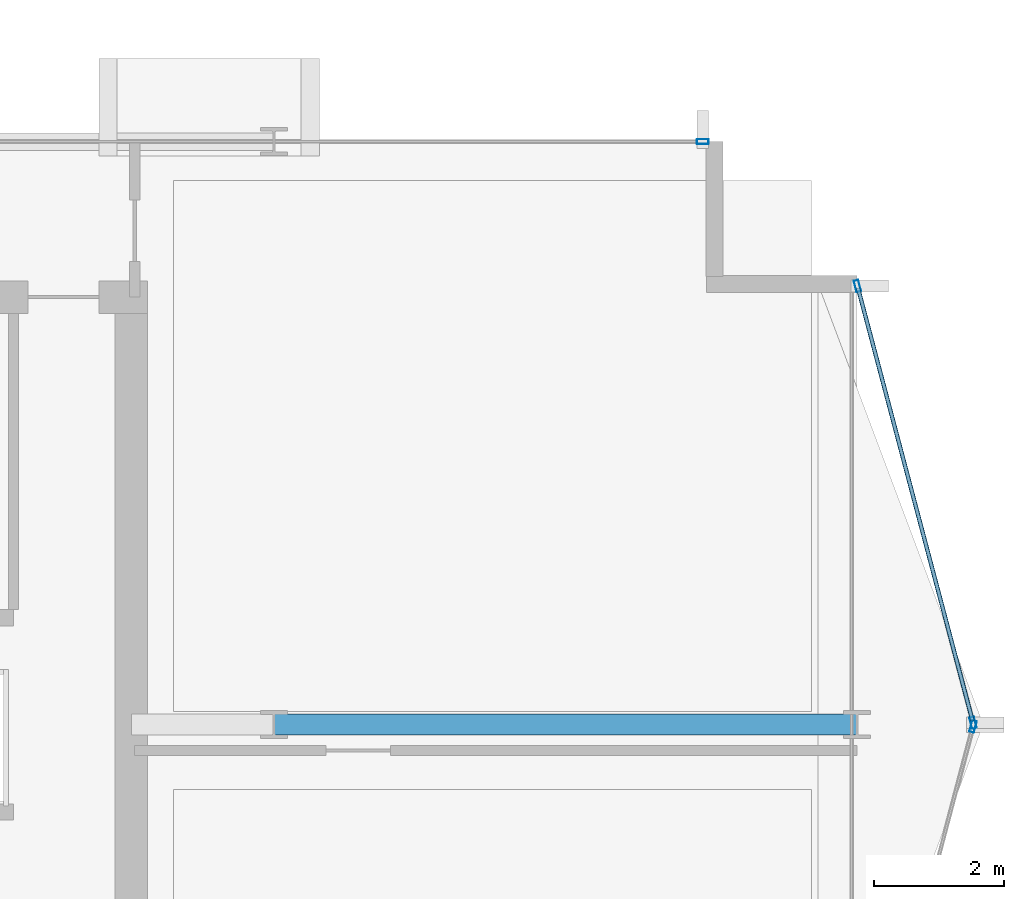
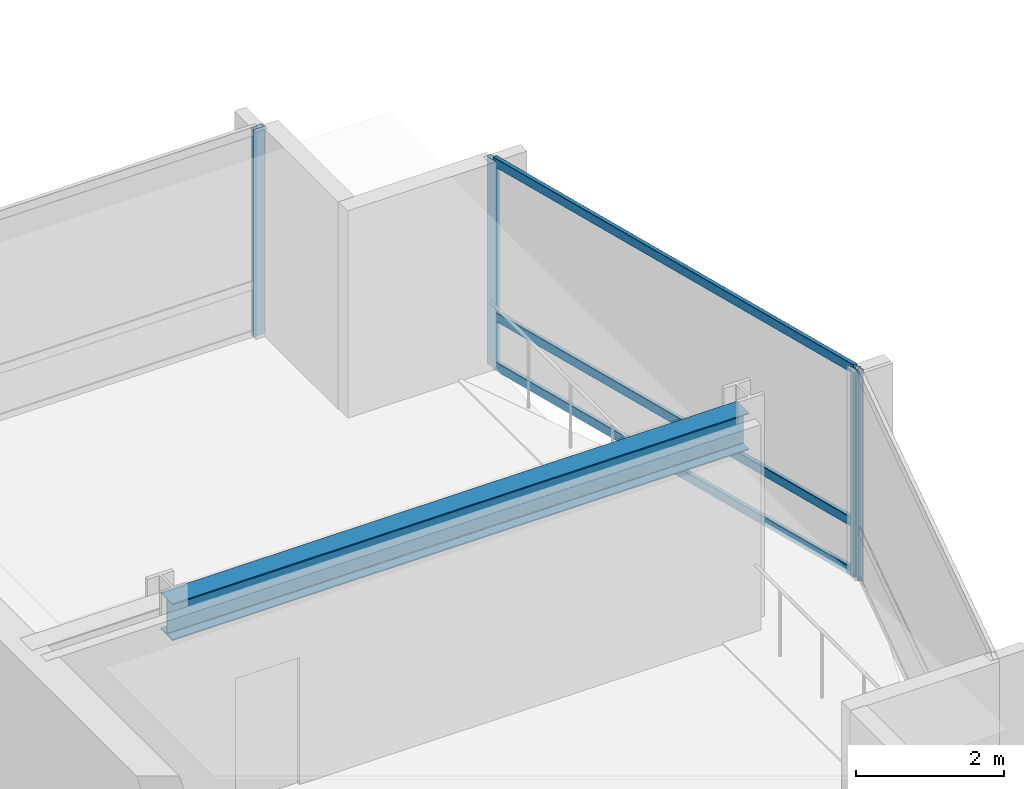
# One storey, part 14 of 28: 7 members, 1 beam, 3 elements without a shape of their own.
"""IFC4 building model written with IfcOpenShell, lengths in metres."""

from ifc_helpers import new_model, si_unit, direction, frame, origin, origin_2d, place, context, subcontext, project, spatial, hollow_rectangle, i_section, extrude, material, layer, layer_set, material_profile, profile_set, type_object, element, aggregate, save


model = new_model("IFC4")

# Units and contexts
model_context = context("Model", 3, precision=1e-05, world=origin(), true_north=direction((0.0, 1.0)))
body_context = subcontext(model_context, "Body", "Model", "MODEL_VIEW")
ifc_project = project(units=[si_unit("LENGTHUNIT", "METRE"), si_unit("AREAUNIT", "SQUARE_METRE"), si_unit("VOLUMEUNIT", "CUBIC_METRE"), si_unit("PLANEANGLEUNIT", "RADIAN"), si_unit("MASSUNIT", "GRAM", prefix="KILO")], contexts=[model_context])

# Site, building, storey
site_placement = place(None, origin())
site = spatial("IfcSite", under=ifc_project, at=site_placement, CompositionType="ELEMENT")
building_placement = place(site_placement, origin())
building = spatial("IfcBuilding", under=site, at=building_placement, Name="Solvaryn Broadcast Tower", CompositionType="ELEMENT")
storey_placement = place(building_placement, frame((0.0, 0.0, 158.10009765625)))
storey = spatial("IfcBuildingStorey", under=building, at=storey_placement, Name="L39", CompositionType="ELEMENT", Elevation=158.10009765625)

# Beam
ifc_material_1 = material(Name="Steel ASTM A992 Grade 50", Category="steel")
ifc_material_profile_1 = material_profile(ifc_material_1, i_section(OverallWidth=0.323974609375, OverallDepth=0.611083984375, WebThickness=0.0126953125, FlangeThickness=0.01904296875, FilletRadius=0.014892578125, at=origin_2d()))
ifc_profile_set_1 = profile_set([ifc_material_profile_1], Name="Steel ASTM A992 Grade 50")
beam_type = type_object("IfcBeamType", Name="BM-B1-W24X104", PredefinedType="BEAM", material=ifc_profile_set_1)
beam_placement = place(storey_placement, frame((45.0, 18.0, 3.114501953125), z_axis=(1.0, 0.0, 0.0), x_axis=(0.0, 1.0, 0.0)))
element("IfcBeam", 1, at=beam_placement, inside=storey, type_object=beam_type, Name="L39 Primary Beam X (45-54 @ Y=18)", PredefinedType="BEAM", context=body_context, shape_type="SweptSolid", body=[
    extrude(i_section(OverallWidth=0.323974609375, OverallDepth=0.611083984375, WebThickness=0.0126953125, FlangeThickness=0.01904296875, FilletRadius=0.014892578125, at=origin_2d()), origin(), (0.0, 0.0, 1.0), 9.0),
])

# Curtain wall, members
ifc_material_2 = material(Name="Aluminium and Terracotta Unitised Curtain Wall", Category="masonry")
ifc_layer = layer(ifc_material_2, 0.199951171875)
ifc_layer_set = layer_set([ifc_layer], Name="CW-SYS2-LOWMID")
curtain_wall_type = type_object("IfcCurtainWallType", Name="CW-SYS2-LOWMID", PredefinedType="NOTDEFINED", material=ifc_layer_set)
curtain_wall_1_placement = place(storey_placement, origin())
curtain_wall_1 = element("IfcCurtainWall", 2, at=curtain_wall_1_placement, inside=storey, type_object=curtain_wall_type, Name="L39 Curtain Wall ET1", PredefinedType="NOTDEFINED")
ifc_material_3 = material(Name="Anodised Aluminium 6063-T6", Category="aluminium")
ifc_material_profile_2 = material_profile(ifc_material_3, hollow_rectangle(XDim=0.074951171875, YDim=0.179931640625, WallThickness=0.00390625, InnerFilletRadius=0.00390625, OuterFilletRadius=0.008056640625, at=origin_2d()))
ifc_profile_set_2 = profile_set([ifc_material_profile_2], Name="Anodised Aluminium 6063-T6")
member_type_1 = type_object("IfcMemberType", Name="CW-MUL-180", PredefinedType="MULLION", material=ifc_profile_set_2)
member_1_placement = place(storey_placement, frame((54.007568359375, 24.77099609375, 0.0), z_axis=(0.0, 0.0, 1.0), x_axis=(0.966705227863, 0.25589256031, 0.0)))
member_1 = element("IfcMember", 3, at=member_1_placement, type_object=member_type_1, Name="CWS2 mullion 1", PredefinedType="MULLION", context=body_context, shape_type="SweptSolid", body=[
    extrude(hollow_rectangle(XDim=0.074951171875, YDim=0.179931640625, WallThickness=0.00390625, InnerFilletRadius=0.00390625, OuterFilletRadius=0.008056640625, at=origin_2d()), origin(), (0.0, 0.0, 1.0), 3.419921875),
])
member_2_placement = place(storey_placement, frame((55.792236328125, 18.029052734375, 0.0), z_axis=(0.0, 0.0, 1.0), x_axis=(0.966705227863, 0.25589256031, 0.0)))
member_2 = element("IfcMember", 4, at=member_2_placement, type_object=member_type_1, Name="CWS2 mullion 2", PredefinedType="MULLION", context=body_context, shape_type="SweptSolid", body=[
    extrude(hollow_rectangle(XDim=0.074951171875, YDim=0.179931640625, WallThickness=0.00390625, InnerFilletRadius=0.00390625, OuterFilletRadius=0.008056640625, at=origin_2d()), origin(), (0.0, 0.0, 1.0), 3.419921875),
])

# Curtain wall, member
curtain_wall_2_placement = place(storey_placement, origin())
curtain_wall_2 = element("IfcCurtainWall", 5, at=curtain_wall_2_placement, inside=storey, type_object=curtain_wall_type, Name="L39 Curtain Wall ET2", PredefinedType="NOTDEFINED")
member_3_placement = place(storey_placement, frame((55.792236328125, 17.970947265625, 0.0), z_axis=(0.0, 0.0, 1.0), x_axis=(0.966705227863, -0.25589256031, 0.0)))
member_3 = element("IfcMember", 6, at=member_3_placement, type_object=member_type_1, Name="CWS2 mullion 1", PredefinedType="MULLION", context=body_context, shape_type="SweptSolid", body=[
    extrude(hollow_rectangle(XDim=0.074951171875, YDim=0.179931640625, WallThickness=0.00390625, InnerFilletRadius=0.00390625, OuterFilletRadius=0.008056640625, at=origin_2d()), origin(), (0.0, 0.0, 1.0), 3.419921875),
])
aggregate(curtain_wall_2, [member_3])

curtain_wall_3_placement = place(storey_placement, origin())
curtain_wall_3 = element("IfcCurtainWall", 7, at=curtain_wall_3_placement, inside=storey, type_object=curtain_wall_type, Name="L39 Curtain Wall IH", PredefinedType="NOTDEFINED")
member_4_placement = place(storey_placement, frame((51.6201171875, 27.0, 0.0), z_axis=(0.0, 0.0, 1.0), x_axis=(0.0, 1.0, 0.0)))
member_4 = element("IfcMember", 8, at=member_4_placement, type_object=member_type_1, Name="CWS2 mullion 2", PredefinedType="MULLION", context=body_context, shape_type="SweptSolid", body=[
    extrude(hollow_rectangle(XDim=0.074951171875, YDim=0.179931640625, WallThickness=0.00390625, InnerFilletRadius=0.00390625, OuterFilletRadius=0.008056640625, at=origin_2d()), origin(), (0.0, 0.0, 1.0), 3.419921875),
])
aggregate(curtain_wall_3, [member_4])

# Member
ifc_material_4 = material(Name="Anodised Aluminium 6063-T6", Category="aluminium")
ifc_material_profile_3 = material_profile(ifc_material_4, hollow_rectangle(XDim=0.06494140625, YDim=0.14990234375, WallThickness=0.00390625, InnerFilletRadius=0.00390625, OuterFilletRadius=0.008056640625, at=origin_2d()))
ifc_profile_set_3 = profile_set([ifc_material_profile_3], Name="Anodised Aluminium 6063-T6")
member_type_2 = type_object("IfcMemberType", Name="CW-TRN-150", PredefinedType="USERDEFINED", material=ifc_profile_set_3)
member_5_placement = place(storey_placement, frame((54.015380859375, 24.741943359375, 0.02978515625), z_axis=(0.255897413051, -0.966703943301, 0.0), x_axis=(0.966703943301, 0.255897413051, 0.0)))
member_5 = element("IfcMember", 9, at=member_5_placement, type_object=member_type_2, Name="CWS2 transom 1.1", ObjectType="TRANSOM", PredefinedType="USERDEFINED", context=body_context, shape_type="SweptSolid", body=[
    extrude(hollow_rectangle(XDim=0.06494140625, YDim=0.14990234375, WallThickness=0.00390625, InnerFilletRadius=0.00390625, OuterFilletRadius=0.008056640625, at=origin_2d()), origin(), (0.0, 0.0, 1.0), 6.9140625),
])

member_6_placement = place(storey_placement, frame((54.015380859375, 24.741943359375, 0.849853515625), z_axis=(0.255897413051, -0.966703943301, 0.0), x_axis=(0.966703943301, 0.255897413051, 0.0)))
member_6 = element("IfcMember", 10, at=member_6_placement, type_object=member_type_2, Name="CWS2 transom 1.2", ObjectType="TRANSOM", PredefinedType="USERDEFINED", context=body_context, shape_type="SweptSolid", body=[
    extrude(hollow_rectangle(XDim=0.06494140625, YDim=0.14990234375, WallThickness=0.00390625, InnerFilletRadius=0.00390625, OuterFilletRadius=0.008056640625, at=origin_2d()), origin(), (0.0, 0.0, 1.0), 6.9140625),
])

member_7_placement = place(storey_placement, frame((54.015380859375, 24.741943359375, 3.389892578125), z_axis=(0.255897413051, -0.966703943301, 0.0), x_axis=(0.966703943301, 0.255897413051, 0.0)))
member_7 = element("IfcMember", 11, at=member_7_placement, type_object=member_type_2, Name="CWS2 transom 1.3", ObjectType="TRANSOM", PredefinedType="USERDEFINED", context=body_context, shape_type="SweptSolid", body=[
    extrude(hollow_rectangle(XDim=0.06494140625, YDim=0.14990234375, WallThickness=0.00390625, InnerFilletRadius=0.00390625, OuterFilletRadius=0.008056640625, at=origin_2d()), origin(), (0.0, 0.0, 1.0), 6.9140625),
])

aggregate(curtain_wall_1, [member_1, member_2, member_5, member_6, member_7])

save(model, "model.ifc")
